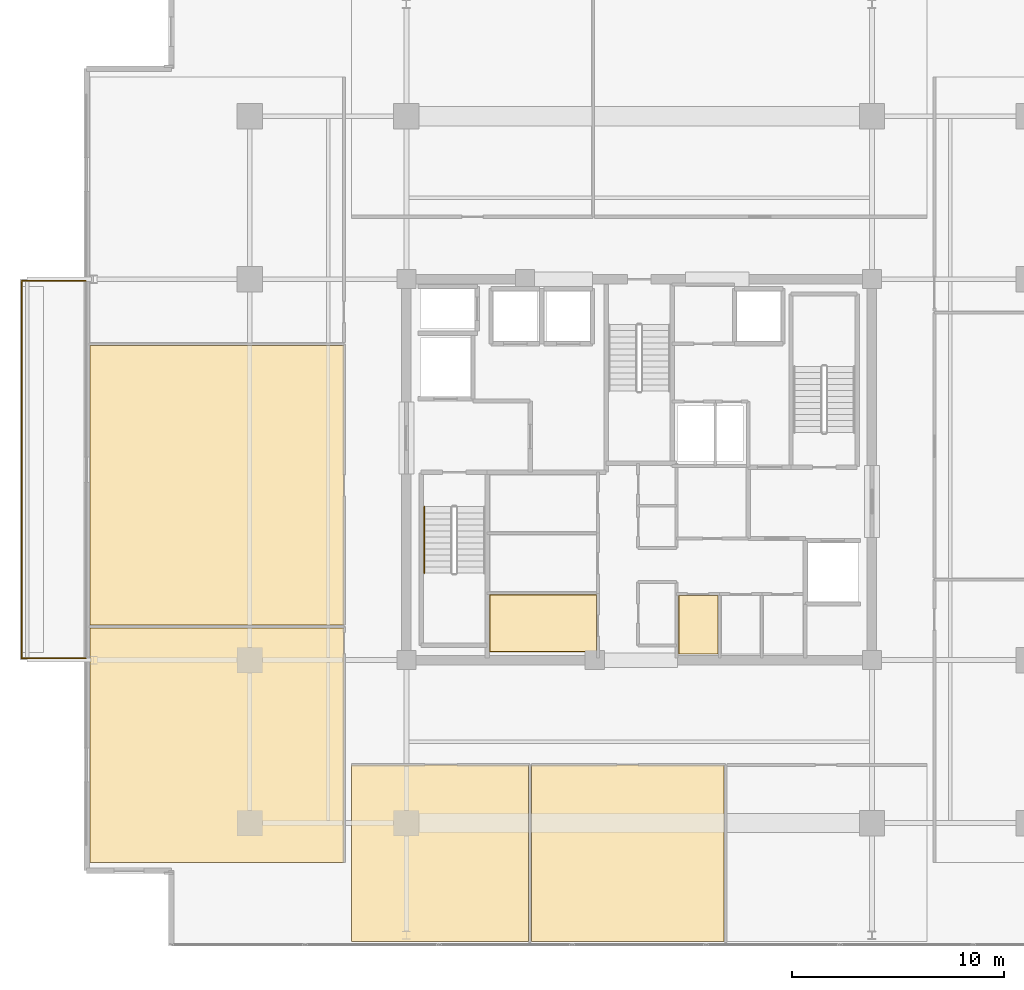
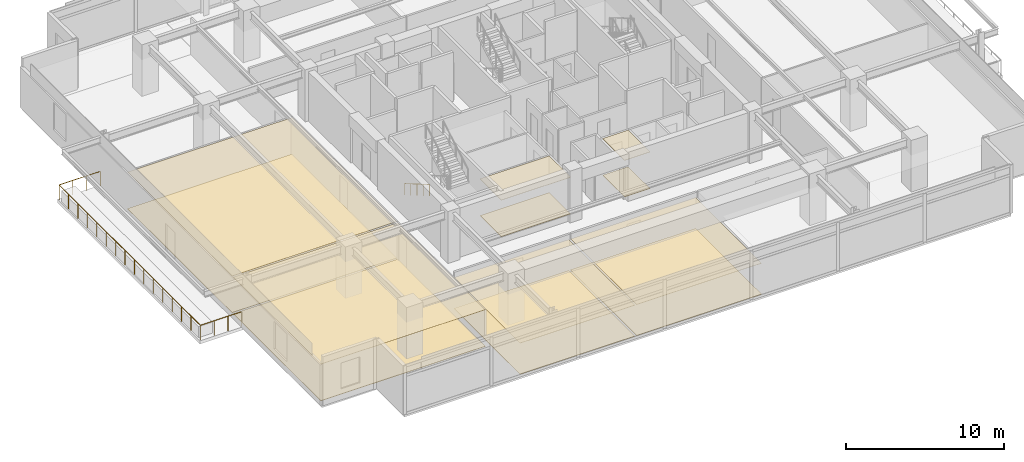
# One storey, part 21 of 24: 12 coverings, 2 railings.
"""IFC4 building model written with IfcOpenShell, lengths in metres."""

from ifc_helpers import new_model, si_unit, direction, frame, origin, origin_2d, place, context, subcontext, project, spatial, polyline, circle, outline, extrude, material, layer, layer_set, type_object, element, save


model = new_model("IFC4")

# Units and contexts
model_context = context("Model", 3, precision=1e-05, world=origin(), true_north=direction((0.0, 1.0)))
body_context = subcontext(model_context, "Body", "Model", "MODEL_VIEW")
ifc_project = project(units=[si_unit("LENGTHUNIT", "METRE"), si_unit("AREAUNIT", "SQUARE_METRE"), si_unit("VOLUMEUNIT", "CUBIC_METRE"), si_unit("PLANEANGLEUNIT", "RADIAN"), si_unit("MASSUNIT", "GRAM", prefix="KILO")], contexts=[model_context])

# Site, building, storey
site_placement = place(None, origin())
site = spatial("IfcSite", under=ifc_project, at=site_placement, CompositionType="ELEMENT")
building_placement = place(site_placement, origin())
building = spatial("IfcBuilding", under=site, at=building_placement, Name="Kovane Verandah Tower", CompositionType="ELEMENT")
storey_placement = place(building_placement, frame((0.0, 0.0, 271.199951171875)))
storey = spatial("IfcBuildingStorey", under=building, at=storey_placement, Name="L63", CompositionType="ELEMENT", Elevation=271.199951171875)

# Coverings
ifc_material_1 = material(Name="Perforated Acoustic Mineral-Fibre Ceiling Tile", Category="gypsum")
ifc_layer_1 = layer(ifc_material_1, 0.02490234375)
ifc_layer_set_1 = layer_set([ifc_layer_1], Name="Perforated Acoustic Mineral-Fibre Ceiling Tile")
covering_type_1 = type_object("IfcCoveringType", Name="CV-CEIL-25", PredefinedType="CEILING", material=ifc_layer_set_1)
covering_1_placement = place(storey_placement, frame((0.0, 0.0, 2.824951171875)))
element("IfcCovering", 1, at=covering_1_placement, inside=storey, type_object=covering_type_1, Name="L63 Project Archive Room Acoustic Ceiling", PredefinedType="CEILING", context=body_context, shape_type="SweptSolid", body=[
    extrude(outline(polyline([(32.93505859375, 18.885009765625), (37.9951171875, 18.885009765625), (37.9951171875, 21.594970703125), (32.93505859375, 21.594970703125), (32.93505859375, 18.885009765625)])), origin(), (0.0, 0.0, 1.0), 0.025146484375),
])
covering_2_placement = place(storey_placement, frame((0.0, 0.0, 2.824951171875)))
element("IfcCovering", 2, at=covering_2_placement, inside=storey, type_object=covering_type_1, Name="L63 Mail and Copy Room Acoustic Ceiling", PredefinedType="CEILING", context=body_context, shape_type="SweptSolid", body=[
    extrude(outline(polyline([(41.864990234375, 18.784912109375), (43.735107421875, 18.784912109375), (43.735107421875, 21.56494140625), (41.864990234375, 21.56494140625), (41.864990234375, 18.784912109375)])), origin(), (0.0, 0.0, 1.0), 0.025146484375),
])
covering_3_placement = place(storey_placement, frame((0.0, 0.0, 2.39013671875)))
element("IfcCovering", 3, at=covering_3_placement, inside=storey, type_object=covering_type_1, Name="L63 Client Boardroom S1 Acoustic Ceiling", PredefinedType="CEILING", context=body_context, shape_type="SweptSolid", body=[
    extrude(outline(polyline([(26.39990234375, 5.200439453125), (34.761962890625, 5.200439453125), (34.761962890625, 13.550048828125), (26.39990234375, 13.550048828125), (26.39990234375, 5.200439453125)])), origin(), (0.0, 0.0, 1.0), 0.02490234375),
])
covering_4_placement = place(storey_placement, frame((0.0, 0.0, 2.39013671875)))
element("IfcCovering", 4, at=covering_4_placement, inside=storey, type_object=covering_type_1, Name="L63 Meeting Room S2 Acoustic Ceiling", PredefinedType="CEILING", context=body_context, shape_type="SweptSolid", body=[
    extrude(outline(polyline([(34.902099609375, 5.200439453125), (44.010009765625, 5.200439453125), (44.010009765625, 13.550048828125), (34.902099609375, 13.550048828125), (34.902099609375, 5.200439453125)])), origin(), (0.0, 0.0, 1.0), 0.02490234375),
])
covering_5_placement = place(storey_placement, frame((0.0, 0.0, 2.824951171875)))
element("IfcCovering", 5, at=covering_5_placement, inside=storey, type_object=covering_type_1, Name="L63 Breakout Pantry W1 Acoustic Ceiling", PredefinedType="CEILING", context=body_context, shape_type="SweptSolid", body=[
    extrude(outline(polyline([(14.042724609375, 8.950439453125), (26.050048828125, 8.950439453125), (26.050048828125, 20.01025390625), (14.042724609375, 20.01025390625), (14.042724609375, 8.950439453125)])), origin(), (0.0, 0.0, 1.0), 0.025146484375),
])
covering_6_placement = place(storey_placement, frame((0.0, 0.0, 2.824951171875)))
element("IfcCovering", 6, at=covering_6_placement, inside=storey, type_object=covering_type_1, Name="L63 Collaboration Hub W2 Acoustic Ceiling", PredefinedType="CEILING", context=body_context, shape_type="SweptSolid", body=[
    extrude(outline(polyline([(14.042724609375, 20.150146484375), (26.050048828125, 20.150146484375), (26.050048828125, 33.365966796875), (14.042724609375, 33.365966796875), (14.042724609375, 20.150146484375)])), origin(), (0.0, 0.0, 1.0), 0.025146484375),
])
ifc_material_2 = material(Name="Polished Terrazzo and Raised-Access Carpet Tile Finish", Category="concrete")
ifc_layer_2 = layer(ifc_material_2, 0.030029296875)
ifc_layer_set_2 = layer_set([ifc_layer_2], Name="Polished Terrazzo and Raised-Access Carpet Tile Finish")
covering_type_2 = type_object("IfcCoveringType", Name="CV-FLOR-30", PredefinedType="FLOORING", material=ifc_layer_set_2)
covering_7_placement = place(storey_placement, origin())
element("IfcCovering", 7, at=covering_7_placement, inside=storey, type_object=covering_type_2, Name="L63 Project Archive Room Floor Finish", PredefinedType="FLOORING", context=body_context, shape_type="SweptSolid", body=[
    extrude(outline(polyline([(32.949951171875, 18.89990234375), (37.97998046875, 18.89990234375), (37.97998046875, 21.580078125), (32.949951171875, 21.580078125), (32.949951171875, 18.89990234375)])), origin(), (0.0, 0.0, 1.0), 0.030029296875),
])
covering_8_placement = place(storey_placement, origin())
element("IfcCovering", 8, at=covering_8_placement, inside=storey, type_object=covering_type_2, Name="L63 Mail and Copy Room Floor Finish", PredefinedType="FLOORING", context=body_context, shape_type="SweptSolid", body=[
    extrude(outline(polyline([(41.8798828125, 18.800048828125), (43.719970703125, 18.800048828125), (43.719970703125, 21.550048828125), (41.8798828125, 21.550048828125), (41.8798828125, 18.800048828125)])), origin(), (0.0, 0.0, 1.0), 0.030029296875),
])
covering_9_placement = place(storey_placement, origin())
element("IfcCovering", 9, at=covering_9_placement, inside=storey, type_object=covering_type_2, Name="L63 Client Boardroom S1 Floor Finish", PredefinedType="FLOORING", context=body_context, shape_type="SweptSolid", body=[
    extrude(outline(polyline([(26.39990234375, 5.200439453125), (34.761962890625, 5.200439453125), (34.761962890625, 13.550048828125), (26.39990234375, 13.550048828125), (26.39990234375, 5.200439453125)])), origin(), (0.0, 0.0, 1.0), 0.030029296875),
])
covering_10_placement = place(storey_placement, origin())
element("IfcCovering", 10, at=covering_10_placement, inside=storey, type_object=covering_type_2, Name="L63 Meeting Room S2 Floor Finish", PredefinedType="FLOORING", context=body_context, shape_type="SweptSolid", body=[
    extrude(outline(polyline([(34.902099609375, 5.200439453125), (44.010009765625, 5.200439453125), (44.010009765625, 13.550048828125), (34.902099609375, 13.550048828125), (34.902099609375, 5.200439453125)])), origin(), (0.0, 0.0, 1.0), 0.030029296875),
])
covering_11_placement = place(storey_placement, origin())
element("IfcCovering", 11, at=covering_11_placement, inside=storey, type_object=covering_type_2, Name="L63 Breakout Pantry W1 Floor Finish", PredefinedType="FLOORING", context=body_context, shape_type="SweptSolid", body=[
    extrude(outline(polyline([(14.042724609375, 8.950439453125), (26.050048828125, 8.950439453125), (26.050048828125, 20.01025390625), (14.042724609375, 20.01025390625), (14.042724609375, 8.950439453125)])), origin(), (0.0, 0.0, 1.0), 0.030029296875),
])
covering_12_placement = place(storey_placement, origin())
element("IfcCovering", 12, at=covering_12_placement, inside=storey, type_object=covering_type_2, Name="L63 Collaboration Hub W2 Floor Finish", PredefinedType="FLOORING", context=body_context, shape_type="SweptSolid", body=[
    extrude(outline(polyline([(14.042724609375, 20.150146484375), (26.050048828125, 20.150146484375), (26.050048828125, 33.365966796875), (14.042724609375, 33.365966796875), (14.042724609375, 20.150146484375)])), origin(), (0.0, 0.0, 1.0), 0.030029296875),
])

# Railings
ifc_material_3 = material(Name="Laminated Glass and Pale-Champagne Stainless Balustrade", Category="glass")
railing_type_1 = type_object("IfcRailingType", Name="RL-BAL-1150", PredefinedType="BALUSTRADE", material=ifc_material_3)
railing_1_placement = place(storey_placement, frame((13.8427734375, 18.580078125, 0.0)))
element("IfcRailing", 13, at=railing_1_placement, inside=storey, type_object=railing_type_1, Name="L63 W Verandah Glass Balustrade", PredefinedType="BALUSTRADE", context=body_context, shape_type="SweptSolid", body=[
    extrude(circle(Radius=0.02392578125, at=origin_2d()), frame((0.0, 0.0, 1.1259765625), z_axis=(-1.0, 0.0, 0.0), x_axis=(0.0, -1.0, 0.0)), (0.0, 0.0, 1.0), 3.02001953125),
    extrude(circle(Radius=0.02392578125, at=origin_2d()), frame((-3.02001953125, 0.0, 1.1259765625), z_axis=(0.0, 1.0, 0.0), x_axis=(-1.0, 0.0, 0.0)), (0.0, 0.0, 1.0), 17.83984375),
    extrude(circle(Radius=0.02392578125, at=origin_2d()), frame((-3.02001953125, 17.83984375, 1.1259765625), z_axis=(1.0, 0.0, 0.0), x_axis=(0.0, 1.0, 0.0)), (0.0, 0.0, 1.0), 3.02001953125),
    extrude(circle(Radius=0.02099609375, at=origin_2d()), origin(), (0.0, 0.0, 1.0), 1.101806640625),
    extrude(circle(Radius=0.02099609375, at=origin_2d()), frame((-1.006591796875, 0.0, 0.0)), (0.0, 0.0, 1.0), 1.101806640625),
    extrude(circle(Radius=0.02099609375, at=origin_2d()), frame((-2.013427734375, 0.0, 0.0)), (0.0, 0.0, 1.0), 1.101806640625),
    extrude(circle(Radius=0.02099609375, at=origin_2d()), frame((-3.02001953125, 0.0, 0.0)), (0.0, 0.0, 1.0), 1.101806640625),
    extrude(circle(Radius=0.02099609375, at=origin_2d()), frame((-3.02001953125, 1.189208984375, 0.0)), (0.0, 0.0, 1.0), 1.101806640625),
    extrude(circle(Radius=0.02099609375, at=origin_2d()), frame((-3.02001953125, 2.378662109375, 0.0)), (0.0, 0.0, 1.0), 1.101806640625),
    extrude(circle(Radius=0.02099609375, at=origin_2d()), frame((-3.02001953125, 3.56787109375, 0.0)), (0.0, 0.0, 1.0), 1.101806640625),
    extrude(circle(Radius=0.02099609375, at=origin_2d()), frame((-3.02001953125, 4.75732421875, 0.0)), (0.0, 0.0, 1.0), 1.101806640625),
    extrude(circle(Radius=0.02099609375, at=origin_2d()), frame((-3.02001953125, 5.946533203125, 0.0)), (0.0, 0.0, 1.0), 1.101806640625),
    extrude(circle(Radius=0.02099609375, at=origin_2d()), frame((-3.02001953125, 7.135986328125, 0.0)), (0.0, 0.0, 1.0), 1.101806640625),
    extrude(circle(Radius=0.02099609375, at=origin_2d()), frame((-3.02001953125, 8.3251953125, 0.0)), (0.0, 0.0, 1.0), 1.101806640625),
    extrude(circle(Radius=0.02099609375, at=origin_2d()), frame((-3.02001953125, 9.5146484375, 0.0)), (0.0, 0.0, 1.0), 1.101806640625),
    extrude(circle(Radius=0.02099609375, at=origin_2d()), frame((-3.02001953125, 10.703857421875, 0.0)), (0.0, 0.0, 1.0), 1.101806640625),
    extrude(circle(Radius=0.02099609375, at=origin_2d()), frame((-3.02001953125, 11.893310546875, 0.0)), (0.0, 0.0, 1.0), 1.101806640625),
    extrude(circle(Radius=0.02099609375, at=origin_2d()), frame((-3.02001953125, 13.08251953125, 0.0)), (0.0, 0.0, 1.0), 1.101806640625),
    extrude(circle(Radius=0.02099609375, at=origin_2d()), frame((-3.02001953125, 14.27197265625, 0.0)), (0.0, 0.0, 1.0), 1.101806640625),
    extrude(circle(Radius=0.02099609375, at=origin_2d()), frame((-3.02001953125, 15.461181640625, 0.0)), (0.0, 0.0, 1.0), 1.101806640625),
    extrude(circle(Radius=0.02099609375, at=origin_2d()), frame((-3.02001953125, 16.650634765625, 0.0)), (0.0, 0.0, 1.0), 1.101806640625),
    extrude(circle(Radius=0.02099609375, at=origin_2d()), frame((-3.02001953125, 17.83984375, 0.0)), (0.0, 0.0, 1.0), 1.101806640625),
    extrude(circle(Radius=0.02099609375, at=origin_2d()), frame((-2.013427734375, 17.83984375, 0.0)), (0.0, 0.0, 1.0), 1.101806640625),
    extrude(circle(Radius=0.02099609375, at=origin_2d()), frame((-1.006591796875, 17.83984375, 0.0)), (0.0, 0.0, 1.0), 1.101806640625),
    extrude(circle(Radius=0.02099609375, at=origin_2d()), frame((0.0, 17.83984375, 0.0)), (0.0, 0.0, 1.0), 1.101806640625),
])
ifc_material_4 = material(Name="Brushed Stainless Steel Handrail", Category="steel")
railing_type_2 = type_object("IfcRailingType", Name="RL-HAND-920", PredefinedType="HANDRAIL", material=ifc_material_4)
railing_2_placement = place(storey_placement, frame((29.85009765625, 25.75, 0.166748046875)))
element("IfcRailing", 14, at=railing_2_placement, inside=storey, type_object=railing_type_2, Name="L63 ST-01 stair handrail 1", PredefinedType="HANDRAIL", context=body_context, shape_type="SweptSolid", body=[
    extrude(circle(Radius=0.02392578125, at=origin_2d()), frame((0.0, 0.0, 0.8759765625), z_axis=(0.0, -0.863239559939, 0.504794475164), x_axis=(1.0, 0.0, 0.0)), (0.0, 0.0, 1.0), 3.631591796875),
    extrude(circle(Radius=0.02099609375, at=origin_2d()), origin(), (0.0, 0.0, 1.0), 0.851806640625),
    extrude(circle(Radius=0.02099609375, at=origin_2d()), frame((0.0, -0.78369140625, 0.458251953125)), (0.0, 0.0, 1.0), 0.851806640625),
    extrude(circle(Radius=0.02099609375, at=origin_2d()), frame((0.0, -1.5673828125, 0.91650390625)), (0.0, 0.0, 1.0), 0.851806640625),
    extrude(circle(Radius=0.02099609375, at=origin_2d()), frame((0.0, -2.351318359375, 1.375)), (0.0, 0.0, 1.0), 0.851806640625),
    extrude(circle(Radius=0.02099609375, at=origin_2d()), frame((0.0, -3.135009765625, 1.833251953125)), (0.0, 0.0, 1.0), 0.851806640625),
])

save(model, "model.ifc")
